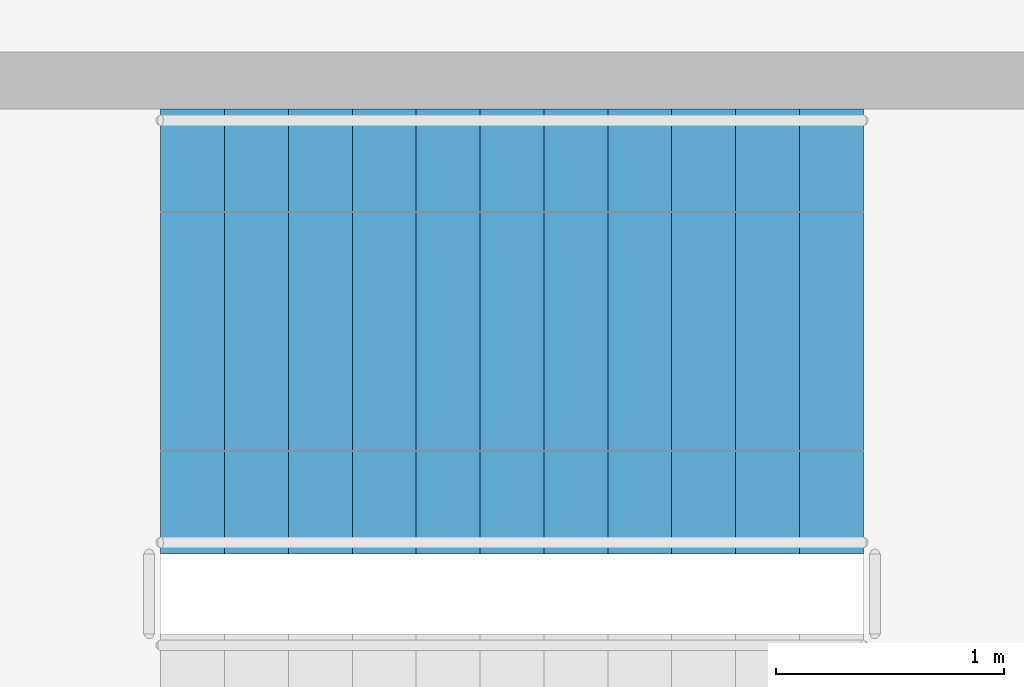
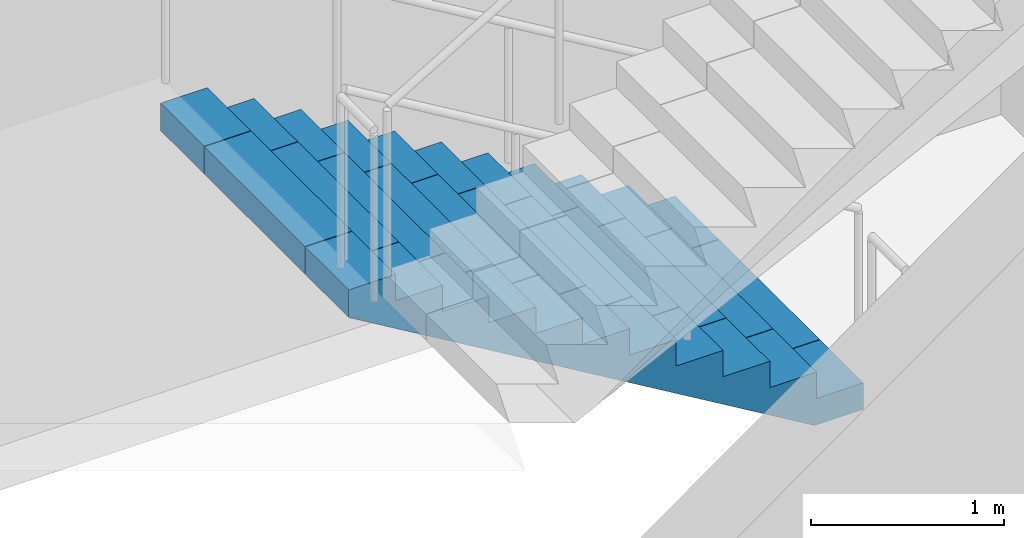
# One storey, part 13 of 15: 1 stair flight, 1 element without a shape of its own.
"""IFC4 building model written with IfcOpenShell, lengths in metres."""

from ifc_helpers import new_model, si_unit, direction, frame, origin, place, context, subcontext, project, spatial, polyline, outline, extrude, material, type_object, element, aggregate, save


model = new_model("IFC4")

# Units and contexts
model_context = context("Model", 3, precision=1e-05, world=origin(), true_north=direction((0.0, 1.0)))
body_context = subcontext(model_context, "Body", "Model", "MODEL_VIEW")
ifc_project = project(units=[si_unit("LENGTHUNIT", "METRE"), si_unit("AREAUNIT", "SQUARE_METRE"), si_unit("VOLUMEUNIT", "CUBIC_METRE"), si_unit("PLANEANGLEUNIT", "RADIAN"), si_unit("MASSUNIT", "GRAM", prefix="KILO")], contexts=[model_context])

# Site, building, storey
site_placement = place(None, origin())
site = spatial("IfcSite", under=ifc_project, at=site_placement, CompositionType="ELEMENT")
building_placement = place(site_placement, origin())
building = spatial("IfcBuilding", under=site, at=building_placement, Name="Corbelhall Arena Tower", CompositionType="ELEMENT")
storey_placement = place(building_placement, frame((0.0, 0.0, 208.0)))
storey = spatial("IfcBuildingStorey", under=building, at=storey_placement, Name="L43", CompositionType="ELEMENT", Elevation=208.0)

# Stair, stair flight
ifc_material = material(Name="Concrete C40/50", Category="concrete")
stair_type = type_object("IfcStairType", Name="IN-ST-TOWER", PredefinedType="HALF_TURN_STAIR", material=ifc_material)
stair_placement = place(storey_placement, origin())
stair = element("IfcStair", 1, at=stair_placement, inside=storey, type_object=stair_type, Name="L43 Exit stair ST3", PredefinedType="HALF_TURN_STAIR")
stair_flight_type = type_object("IfcStairFlightType", Name="IN-SFL-RC", PredefinedType="STRAIGHT", material=ifc_material)
stair_flight_placement = place(storey_placement, frame((11.425048828125, 15.699951171875, 0.0), z_axis=(0.0, 0.0, 1.0), x_axis=(-1.0, 0.0, 0.0)))
stair_flight = element("IfcStairFlight", 2, at=stair_flight_placement, type_object=stair_flight_type, Name="ST3 flight 1", NumberOfRisers=12, NumberOfTreads=11, PredefinedType="STRAIGHT", RiserHeight=0.166666667, TreadLength=0.28, context=body_context, shape_type="SweptSolid", body=[
    extrude(outline(polyline([(0.0, 0.0), (0.0, 0.166748046875), (0.280029296875, 0.166748046875), (0.280029296875, 0.333251953125), (0.56005859375, 0.333251953125), (0.56005859375, 0.5), (0.840087890625, 0.5), (0.840087890625, 0.666748046875), (1.1201171875, 0.666748046875), (1.1201171875, 0.833251953125), (1.39990234375, 0.833251953125), (1.39990234375, 1.0), (1.679931640625, 1.0), (1.679931640625, 1.166748046875), (1.9599609375, 1.166748046875), (1.9599609375, 1.333251953125), (2.239990234375, 1.333251953125), (2.239990234375, 1.5), (2.52001953125, 1.5), (2.52001953125, 1.666748046875), (2.800048828125, 1.666748046875), (2.800048828125, 1.833251953125), (3.080078125, 1.833251953125), (3.080078125, 2.0), (3.080078125, 1.658935546875), (0.29296875, 0.0), (0.0, 0.0)])), frame((0.0, 0.97509765625, 0.0), z_axis=(0.0, -1.0, 0.0), x_axis=(1.0, 0.0, 0.0)), (0.0, 0.0, 1.0), 0.449951171875),
    extrude(outline(polyline([(0.0, 0.0), (0.0, 0.166748046875), (0.280029296875, 0.166748046875), (0.280029296875, 0.333251953125), (0.56005859375, 0.333251953125), (0.56005859375, 0.5), (0.840087890625, 0.5), (0.840087890625, 0.666748046875), (1.1201171875, 0.666748046875), (1.1201171875, 0.833251953125), (1.39990234375, 0.833251953125), (1.39990234375, 1.0), (1.679931640625, 1.0), (1.679931640625, 1.166748046875), (1.9599609375, 1.166748046875), (1.9599609375, 1.333251953125), (2.239990234375, 1.333251953125), (2.239990234375, 1.5), (2.52001953125, 1.5), (2.52001953125, 1.666748046875), (2.800048828125, 1.666748046875), (2.800048828125, 1.833251953125), (3.080078125, 1.833251953125), (3.080078125, 2.0), (3.080078125, 1.658935546875), (0.29296875, 0.0), (0.0, 0.0)])), frame((0.0, 0.52099609375, 0.0), z_axis=(0.0, -1.0, 0.0), x_axis=(1.0, 0.0, 0.0)), (0.0, 0.0, 1.0), 1.0419921875),
    extrude(outline(polyline([(0.0, 0.0), (0.0, 0.166748046875), (0.280029296875, 0.166748046875), (0.280029296875, 0.333251953125), (0.56005859375, 0.333251953125), (0.56005859375, 0.5), (0.840087890625, 0.5), (0.840087890625, 0.666748046875), (1.1201171875, 0.666748046875), (1.1201171875, 0.833251953125), (1.39990234375, 0.833251953125), (1.39990234375, 1.0), (1.679931640625, 1.0), (1.679931640625, 1.166748046875), (1.9599609375, 1.166748046875), (1.9599609375, 1.333251953125), (2.239990234375, 1.333251953125), (2.239990234375, 1.5), (2.52001953125, 1.5), (2.52001953125, 1.666748046875), (2.800048828125, 1.666748046875), (2.800048828125, 1.833251953125), (3.080078125, 1.833251953125), (3.080078125, 2.0), (3.080078125, 1.658935546875), (0.29296875, 0.0), (0.0, 0.0)])), frame((0.0, -0.52490234375, 0.0), z_axis=(0.0, -1.0, 0.0), x_axis=(1.0, 0.0, 0.0)), (0.0, 0.0, 1.0), 0.449951171875),
])
aggregate(stair, [stair_flight])

save(model, "model.ifc")
